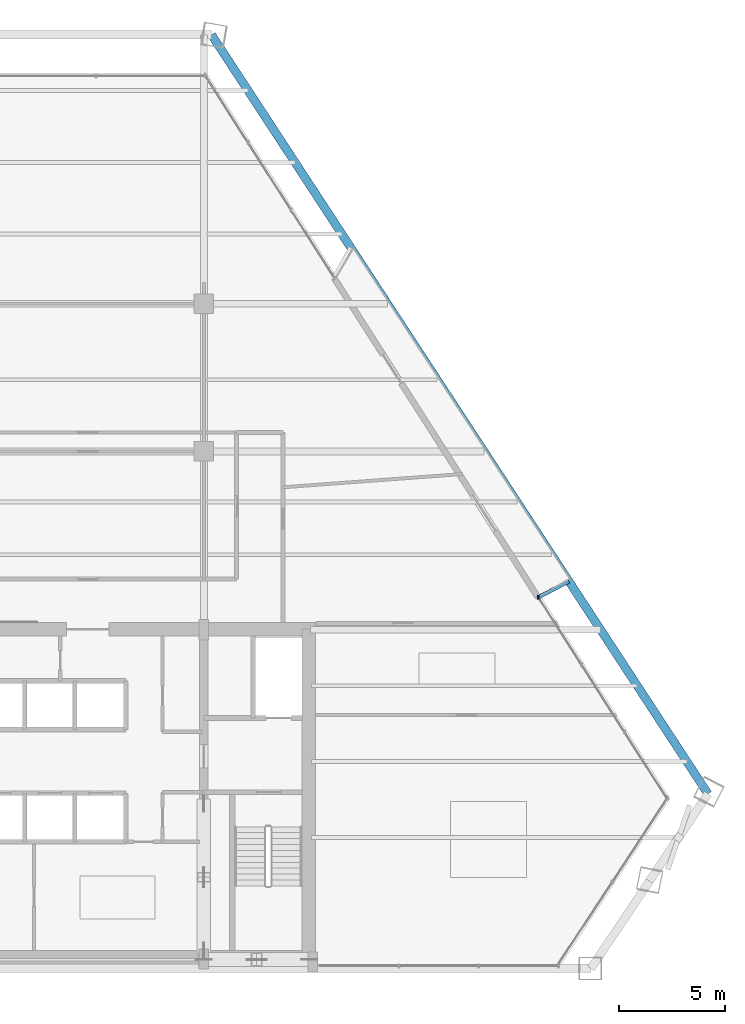
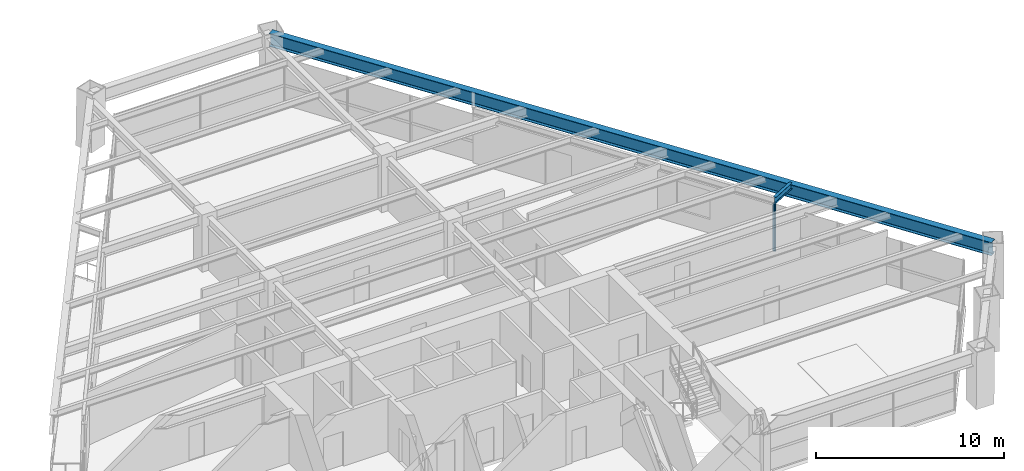
# One storey, part 7 of 14: 2 beams, 2 members, 1 element without a shape of its own.
"""IFC4 building model written with IfcOpenShell, lengths in metres."""

from ifc_helpers import new_model, si_unit, direction, frame, origin, origin_2d, place, context, subcontext, project, spatial, rectangle, i_section, extrude, source, transform, mapped, material, material_profile, profile_set, type_object, element, aggregate, save


model = new_model("IFC4")

# Units and contexts
model_context = context("Model", 3, precision=1e-05, world=origin(), true_north=direction((0.0, 1.0)))
body_context = subcontext(model_context, "Body", "Model", "MODEL_VIEW")
ifc_project = project(units=[si_unit("LENGTHUNIT", "METRE"), si_unit("AREAUNIT", "SQUARE_METRE"), si_unit("VOLUMEUNIT", "CUBIC_METRE"), si_unit("PLANEANGLEUNIT", "RADIAN"), si_unit("MASSUNIT", "GRAM", prefix="KILO")], contexts=[model_context])

# Site, building, storey
site_placement = place(None, origin())
site = spatial("IfcSite", under=ifc_project, at=site_placement, CompositionType="ELEMENT")
building_placement = place(site_placement, origin())
building = spatial("IfcBuilding", under=site, at=building_placement, Name="Varnakhor Terracotta Tower", CompositionType="ELEMENT")
storey_placement = place(building_placement, frame((0.0, 0.0, 129.300048828125)))
storey = spatial("IfcBuildingStorey", under=building, at=storey_placement, Name="L32", CompositionType="ELEMENT", Elevation=129.300048828125)

# Beam
ifc_material_1 = material(Name="Steel S355", Category="steel")
ifc_material_profile_1 = material_profile(ifc_material_1, i_section(OverallWidth=0.39990234375, OverallDepth=0.85498046875, WebThickness=0.01806640625, FlangeThickness=0.029052734375, FilletRadius=0.01806640625, at=origin_2d()), Name="W33X201")
ifc_profile_set_1 = profile_set([ifc_material_profile_1], Name="Steel S355")
beam_type_1 = type_object("IfcBeamType", Name="BM-W33X201", PredefinedType="BEAM", material=ifc_profile_set_1)
shared_shape_1 = source(origin(), body_context, "Body", "SweptSolid", [
    extrude(i_section(OverallWidth=0.39990234375, OverallDepth=0.85498046875, WebThickness=0.01806640625, FlangeThickness=0.029052734375, FilletRadius=0.01806640625, at=origin_2d()), origin(), (0.0, 0.0, 1.0), 42.979248046875),
])
beam_1_placement = place(storey_placement, frame((29.389404296875, 8.272705078125, 3.04248046875), z_axis=(-0.547287624439, 0.836944595619, 0.0), x_axis=(-0.836944595619, -0.547287624439, 0.0)))
element("IfcBeam", 1, at=beam_1_placement, inside=storey, type_object=beam_type_1, Name="L32 Perimeter Spandrel 4", PredefinedType="BEAM", context=body_context, shape_type="MappedRepresentation", body=[
    mapped(shared_shape_1, transform((0.0, 0.0, 0.0), scale=1.0)),
])

# Curtain wall, members
ifc_material_2 = material(Name="Anodised Aluminium Curtain Wall System", Category="aluminium")
curtain_wall_type = type_object("IfcCurtainWallType", Name="CW-SYS-MID-OFFICE", PredefinedType="NOTDEFINED", material=ifc_material_2)
curtain_wall_placement = place(storey_placement, origin())
curtain_wall = element("IfcCurtainWall", 2, at=curtain_wall_placement, inside=storey, type_object=curtain_wall_type, Name="L32 E Facet Curtain Wall 2", PredefinedType="NOTDEFINED")
ifc_material_3 = material(Name="Anodised Aluminium 6063-T6", Category="aluminium")
ifc_material_profile_2 = material_profile(ifc_material_3, rectangle(XDim=0.070068359375, YDim=0.175048828125, at=origin_2d()), Name="ALU MULLION 70x175")
ifc_profile_set_2 = profile_set([ifc_material_profile_2], Name="Anodised Aluminium 6063-T6")
member_type = type_object("IfcMemberType", Name="CWM-03", PredefinedType="MULLION", material=ifc_profile_set_2)
shared_shape_2 = source(origin(), body_context, "Body", "SweptSolid", [
    extrude(rectangle(XDim=0.070068359375, YDim=0.175048828125, at=origin_2d()), origin(), (0.0, 0.0, 1.0), 3.050048828125),
])
member_1_placement = place(storey_placement, frame((21.365478515625, 17.578857421875, 0.0), z_axis=(0.0, 0.0, 1.0), x_axis=(1.0, 0.0, 0.0)))
member_1 = element("IfcMember", 3, at=member_1_placement, type_object=member_type, Name="L32 E Facet Curtain Wall 2 Mullion 1", PredefinedType="MULLION", context=body_context, shape_type="MappedRepresentation", body=[
    mapped(shared_shape_2, transform((0.0, 0.0, 0.0), scale=1.0)),
])
member_2_placement = place(storey_placement, frame((21.33251953125, 17.59326171875, 0.0), z_axis=(0.0, 0.0, 1.0), x_axis=(1.0, 0.0, 0.0)))
member_2 = element("IfcMember", 4, at=member_2_placement, type_object=member_type, Name="L32 E Loggia Jamb Closure Mullion 2", PredefinedType="MULLION", context=body_context, shape_type="MappedRepresentation", body=[
    mapped(shared_shape_2, transform((0.0, 0.0, 0.0), scale=1.0)),
])
aggregate(curtain_wall, [member_1, member_2])

# Beam
ifc_material_profile_3 = material_profile(ifc_material_1, i_section(OverallWidth=0.179931640625, OverallDepth=0.39990234375, WebThickness=0.008544921875, FlangeThickness=0.013427734375, FilletRadius=0.01806640625, at=origin_2d()), Name="IPE400")
ifc_profile_set_3 = profile_set([ifc_material_profile_3], Name="Steel S355")
beam_type_2 = type_object("IfcBeamType", Name="JST-IPE400", PredefinedType="JOIST", material=ifc_profile_set_3)
shared_shape_3 = source(origin(), body_context, "Body", "SweptSolid", [
    extrude(i_section(OverallWidth=0.179931640625, OverallDepth=0.39990234375, WebThickness=0.008544921875, FlangeThickness=0.013427734375, FilletRadius=0.01806640625, at=origin_2d()), origin(), (0.0, 0.0, 1.0), 1.6171875),
])
beam_2_placement = place(storey_placement, frame((21.370849609375, 17.59423828125, 3.27001953125), z_axis=(0.885781294013, 0.464102897187, 0.0), x_axis=(-0.464102897187, 0.885781294013, 0.0)))
element("IfcBeam", 5, at=beam_2_placement, inside=storey, type_object=beam_type_2, Name="L33 E Loggia Tie Beam 2", PredefinedType="JOIST", context=body_context, shape_type="MappedRepresentation", body=[
    mapped(shared_shape_3, transform((0.0, 0.0, 0.0), scale=1.0)),
])

save(model, "model.ifc")
